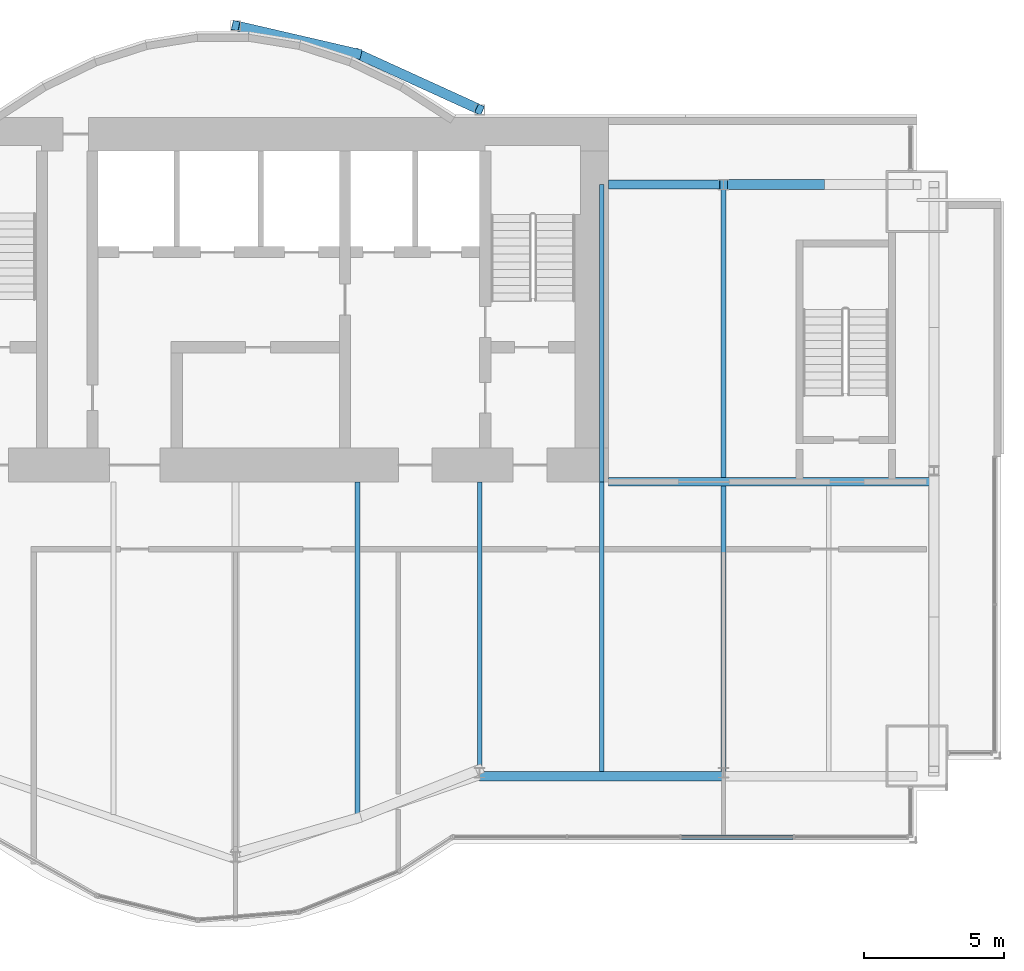
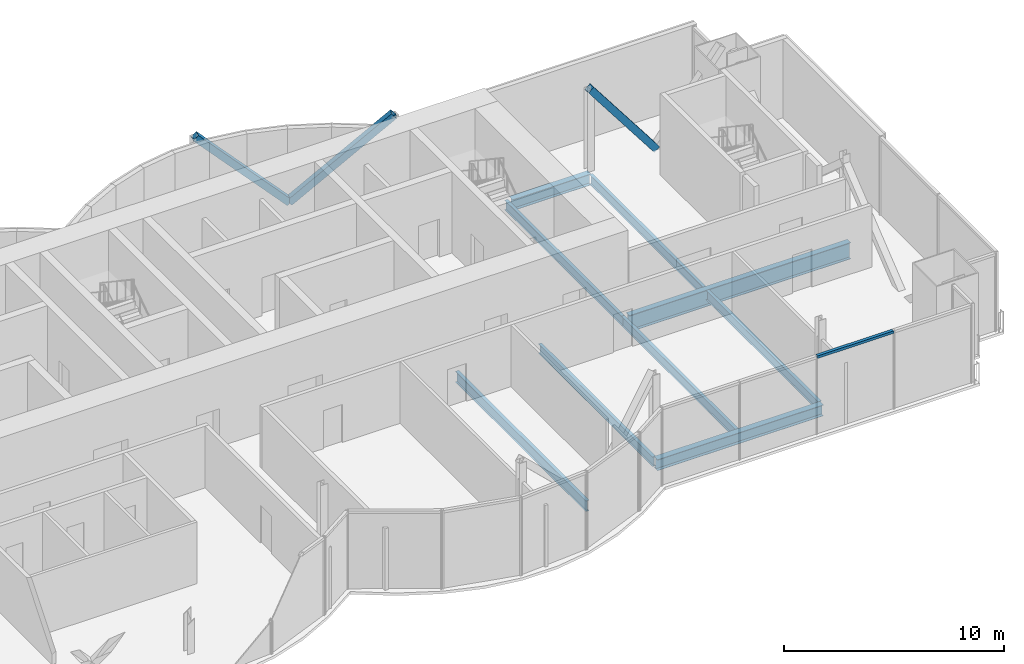
# One storey, part 8 of 17: 9 beams, 4 members, 1 element without a shape of its own.
"""IFC4 building model written with IfcOpenShell, lengths in metres."""

from ifc_helpers import new_model, si_unit, direction, frame, origin, origin_2d, place, context, subcontext, project, spatial, rectangle, hollow_rectangle, i_section, extrude, material, material_profile, profile_set, type_object, element, aggregate, save


model = new_model("IFC4")

# Units and contexts
model_context = context("Model", 3, precision=1e-05, world=origin(), true_north=direction((0.0, 1.0)))
body_context = subcontext(model_context, "Body", "Model", "MODEL_VIEW")
ifc_project = project(units=[si_unit("LENGTHUNIT", "METRE"), si_unit("AREAUNIT", "SQUARE_METRE"), si_unit("VOLUMEUNIT", "CUBIC_METRE"), si_unit("PLANEANGLEUNIT", "RADIAN"), si_unit("MASSUNIT", "GRAM", prefix="KILO")], contexts=[model_context])

# Site, building, storey
site_placement = place(None, origin())
site = spatial("IfcSite", under=ifc_project, at=site_placement, CompositionType="ELEMENT")
building_placement = place(site_placement, origin())
building = spatial("IfcBuilding", under=site, at=building_placement, Name="Bicima Exchange Tower", CompositionType="ELEMENT")
storey_placement = place(building_placement, frame((0.0, 0.0, 320.0)))
storey = spatial("IfcBuildingStorey", under=building, at=storey_placement, Name="L72", CompositionType="ELEMENT", Elevation=320.0)

# Beams
ifc_material_1 = material(Name="Steel ASTM A992 Gr 50", Category="steel")
ifc_material_profile_1 = material_profile(ifc_material_1, i_section(OverallWidth=0.3046875, OverallDepth=0.911865234375, WebThickness=0.015869140625, FlangeThickness=0.02392578125, at=origin_2d()))
ifc_profile_set_1 = profile_set([ifc_material_profile_1], Name="Steel ASTM A992 Gr 50")
beam_type_1 = type_object("IfcBeamType", Name="Core-line girder W36x150", PredefinedType="BEAM", material=ifc_profile_set_1)
beam_1_placement = place(storey_placement, frame((22.0, -13.0, -0.60595703125), z_axis=(1.0, 0.0, 0.0), x_axis=(0.0, 1.0, 0.0)))
element("IfcBeam", 1, at=beam_1_placement, inside=storey, type_object=beam_type_1, Name="Core-line girder", PredefinedType="BEAM", context=body_context, shape_type="SweptSolid", body=[
    extrude(i_section(OverallWidth=0.3046875, OverallDepth=0.911865234375, WebThickness=0.015869140625, FlangeThickness=0.02392578125, at=origin_2d()), origin(), (0.0, 0.0, 1.0), 11.60009765625),
])
ifc_material_profile_2 = material_profile(ifc_material_1, i_section(OverallWidth=0.165771484375, OverallDepth=0.5283203125, WebThickness=0.009765625, FlangeThickness=0.013671875, at=origin_2d()))
ifc_profile_set_2 = profile_set([ifc_material_profile_2], Name="Steel ASTM A992 Gr 50")
beam_type_2 = type_object("IfcBeamType", Name="Floor beam W21x50", PredefinedType="JOIST", material=ifc_profile_set_2)
beam_2_placement = place(storey_placement, frame((17.39990234375, -13.0, -0.414306640625), z_axis=(0.0, -1.0, 0.0), x_axis=(1.0, 0.0, 0.0)))
element("IfcBeam", 2, at=beam_2_placement, inside=storey, type_object=beam_type_2, Name="Floor beam", PredefinedType="JOIST", context=body_context, shape_type="SweptSolid", body=[
    extrude(i_section(OverallWidth=0.165771484375, OverallDepth=0.5283203125, WebThickness=0.009765625, FlangeThickness=0.013671875, at=origin_2d()), origin(), (0.0, 0.0, 1.0), 10.3603515625),
])
beam_3_placement = place(storey_placement, frame((21.75, -2.39990234375, -0.414306640625), z_axis=(0.0, -1.0, 0.0), x_axis=(1.0, 0.0, 0.0)))
element("IfcBeam", 3, at=beam_3_placement, inside=storey, type_object=beam_type_2, Name="Floor beam", PredefinedType="JOIST", context=body_context, shape_type="SweptSolid", body=[
    extrude(i_section(OverallWidth=0.165771484375, OverallDepth=0.5283203125, WebThickness=0.009765625, FlangeThickness=0.013671875, at=origin_2d()), origin(), (0.0, 0.0, 1.0), 10.60009765625),
])
beam_4_placement = place(storey_placement, frame((21.75, -13.0, -0.414306640625), z_axis=(0.0, -1.0, 0.0), x_axis=(1.0, 0.0, 0.0)))
element("IfcBeam", 4, at=beam_4_placement, inside=storey, type_object=beam_type_2, Name="Floor beam", PredefinedType="JOIST", context=body_context, shape_type="SweptSolid", body=[
    extrude(i_section(OverallWidth=0.165771484375, OverallDepth=0.5283203125, WebThickness=0.009765625, FlangeThickness=0.013671875, at=origin_2d()), origin(), (0.0, 0.0, 1.0), 10.33349609375),
])
beam_5_placement = place(storey_placement, frame((26.10009765625, -2.5625, -0.414306640625), z_axis=(0.0, -1.0, 0.0), x_axis=(1.0, 0.0, 0.0)))
element("IfcBeam", 5, at=beam_5_placement, inside=storey, type_object=beam_type_2, Name="Floor beam", PredefinedType="JOIST", context=body_context, shape_type="SweptSolid", body=[
    extrude(i_section(OverallWidth=0.165771484375, OverallDepth=0.5283203125, WebThickness=0.009765625, FlangeThickness=0.013671875, at=origin_2d()), origin(), (0.0, 0.0, 1.0), 10.28515625),
])
beam_6_placement = place(storey_placement, frame((26.10009765625, -13.15234375, -0.414306640625), z_axis=(0.0, -1.0, 0.0), x_axis=(1.0, 0.0, 0.0)))
element("IfcBeam", 6, at=beam_6_placement, inside=storey, type_object=beam_type_2, Name="Floor beam", PredefinedType="JOIST", context=body_context, shape_type="SweptSolid", body=[
    extrude(i_section(OverallWidth=0.165771484375, OverallDepth=0.5283203125, WebThickness=0.009765625, FlangeThickness=0.013671875, at=origin_2d()), origin(), (0.0, 0.0, 1.0), 10.18115234375),
])
ifc_material_profile_3 = material_profile(ifc_material_1, i_section(OverallWidth=0.177978515625, OverallDepth=0.599365234375, WebThickness=0.010009765625, FlangeThickness=0.012939453125, at=origin_2d()))
ifc_profile_set_3 = profile_set([ifc_material_profile_3], Name="Steel ASTM A992 Gr 50")
beam_type_3 = type_object("IfcBeamType", Name="Floor beam W24x55", PredefinedType="JOIST", material=ifc_profile_set_3)
beam_7_placement = place(storey_placement, frame((13.050048828125, -13.0, -0.44970703125), z_axis=(0.0, -1.0, 0.0), x_axis=(1.0, 0.0, 0.0)))
element("IfcBeam", 7, at=beam_7_placement, inside=storey, type_object=beam_type_3, Name="Floor beam", PredefinedType="JOIST", context=body_context, shape_type="SweptSolid", body=[
    extrude(i_section(OverallWidth=0.177978515625, OverallDepth=0.599365234375, WebThickness=0.010009765625, FlangeThickness=0.012939453125, at=origin_2d()), origin(), (0.0, 0.0, 1.0), 11.85595703125),
])
ifc_material_profile_4 = material_profile(ifc_material_1, i_section(OverallWidth=0.3251953125, OverallDepth=0.612060546875, WebThickness=0.0126953125, FlangeThickness=0.01904296875, at=origin_2d()))
ifc_profile_set_4 = profile_set([ifc_material_profile_4], Name="Steel ASTM A992 Gr 50")
beam_type_4 = type_object("IfcBeamType", Name="Front girder W24x104", PredefinedType="BEAM", material=ifc_profile_set_4)
beam_8_placement = place(storey_placement, frame((17.39990234375, -23.49609375, -0.4560546875), z_axis=(1.0, 0.0, 0.0), x_axis=(0.0, 1.0, 0.0)))
element("IfcBeam", 8, at=beam_8_placement, inside=storey, type_object=beam_type_4, Name="Front girder", PredefinedType="BEAM", context=body_context, shape_type="SweptSolid", body=[
    extrude(i_section(OverallWidth=0.3251953125, OverallDepth=0.612060546875, WebThickness=0.0126953125, FlangeThickness=0.01904296875, at=origin_2d()), origin(), (0.0, 0.0, 1.0), 8.7001953125),
])

# Curtain wall, member
ifc_material_2 = material(Name="Anodised bronze aluminium", Category="aluminium")
curtain_wall_type = type_object("IfcCurtainWallType", Name="Front glass wall", PredefinedType="NOTDEFINED", material=ifc_material_2)
curtain_wall_placement = place(storey_placement, origin())
curtain_wall = element("IfcCurtainWall", 9, at=curtain_wall_placement, inside=storey, type_object=curtain_wall_type, Name="Front glass wall L72 run 16", PredefinedType="NOTDEFINED")
ifc_material_profile_5 = material_profile(ifc_material_2, rectangle(XDim=0.159912109375, YDim=0.139892578125, at=origin_2d()))
ifc_profile_set_5 = profile_set([ifc_material_profile_5], Name="Anodised bronze aluminium")
member_type_1 = type_object("IfcMemberType", Name="Front glass wall transom 140 x 160", PredefinedType="USERDEFINED", material=ifc_profile_set_5)
member_1_placement = place(storey_placement, frame((24.591064453125, -25.666015625, 4.280029296875), z_axis=(1.0, 0.0, 0.0), x_axis=(0.0, 1.0, 0.0)))
member_1 = element("IfcMember", 10, at=member_1_placement, type_object=member_type_1, Name="Front glass wall transom 3.1", ObjectType="TRANSOM", PredefinedType="USERDEFINED", context=body_context, shape_type="SweptSolid", body=[
    extrude(rectangle(XDim=0.159912109375, YDim=0.139892578125, at=origin_2d()), origin(), (0.0, 0.0, 1.0), 3.989501953125),
])
aggregate(curtain_wall, [member_1])

# Members
ifc_material_3 = material(Name="Steel ASTM A572 Gr 50", Category="steel")
ifc_material_profile_6 = material_profile(ifc_material_3, hollow_rectangle(XDim=0.355712890625, YDim=0.355712890625, WallThickness=0.01171875, at=origin_2d()))
ifc_profile_set_6 = profile_set([ifc_material_profile_6], Name="Steel ASTM A572 Gr 50")
member_type_2 = type_object("IfcMemberType", Name="Mega brace HSS14x14x1/2", PredefinedType="BRACE", material=ifc_profile_set_6)
member_2_placement = place(storey_placement, frame((13.050048828125, 2.262451171875, 0.0), z_axis=(0.662507516739, -0.302231638101, 0.685375683254), x_axis=(0.415045223819, 0.909800781592, 0.0)))
element("IfcMember", 11, at=member_2_placement, inside=storey, type_object=member_type_2, Name="Mega brace rexo", PredefinedType="BRACE", context=body_context, shape_type="SweptSolid", body=[
    extrude(hollow_rectangle(XDim=0.355712890625, YDim=0.355712890625, WallThickness=0.01171875, at=origin_2d()), origin(), (0.0, 0.0, 1.0), 6.565673828125),
])
member_3_placement = place(storey_placement, frame((13.050048828125, 2.262451171875, 0.0), z_axis=(-0.686212303743, 0.158786245837, 0.709858860848), x_axis=(-0.225438503722, -0.974257399787, 0.0)))
element("IfcMember", 12, at=member_3_placement, inside=storey, type_object=member_type_2, Name="Mega brace rexo", PredefinedType="BRACE", context=body_context, shape_type="SweptSolid", body=[
    extrude(hollow_rectangle(XDim=0.355712890625, YDim=0.355712890625, WallThickness=0.01171875, at=origin_2d()), origin(), (0.0, 0.0, 1.0), 6.33935546875),
])
member_4_placement = place(storey_placement, frame((29.550048828125, -2.39990234375, 0.0), z_axis=(-0.608426120198, 0.0, 0.793610519248), x_axis=(0.0, -1.0, 0.0)))
element("IfcMember", 13, at=member_4_placement, inside=storey, type_object=member_type_2, Name="Mega brace rear", PredefinedType="BRACE", context=body_context, shape_type="SweptSolid", body=[
    extrude(hollow_rectangle(XDim=0.355712890625, YDim=0.355712890625, WallThickness=0.01171875, at=origin_2d()), origin(), (0.0, 0.0, 1.0), 5.670166015625),
])

# Beam
beam_type_5 = type_object("IfcBeamType", Name="Rear girder W24x104", PredefinedType="BEAM", material=ifc_profile_set_4)
beam_9_placement = place(storey_placement, frame((22.0, -2.39990234375, -0.4560546875), z_axis=(1.0, 0.0, 0.0), x_axis=(0.0, 1.0, 0.0)))
element("IfcBeam", 14, at=beam_9_placement, inside=storey, type_object=beam_type_5, Name="Rear girder", PredefinedType="BEAM", context=body_context, shape_type="SweptSolid", body=[
    extrude(i_section(OverallWidth=0.3251953125, OverallDepth=0.612060546875, WebThickness=0.0126953125, FlangeThickness=0.01904296875, at=origin_2d()), origin(), (0.0, 0.0, 1.0), 4.10009765625),
])

save(model, "model.ifc")
